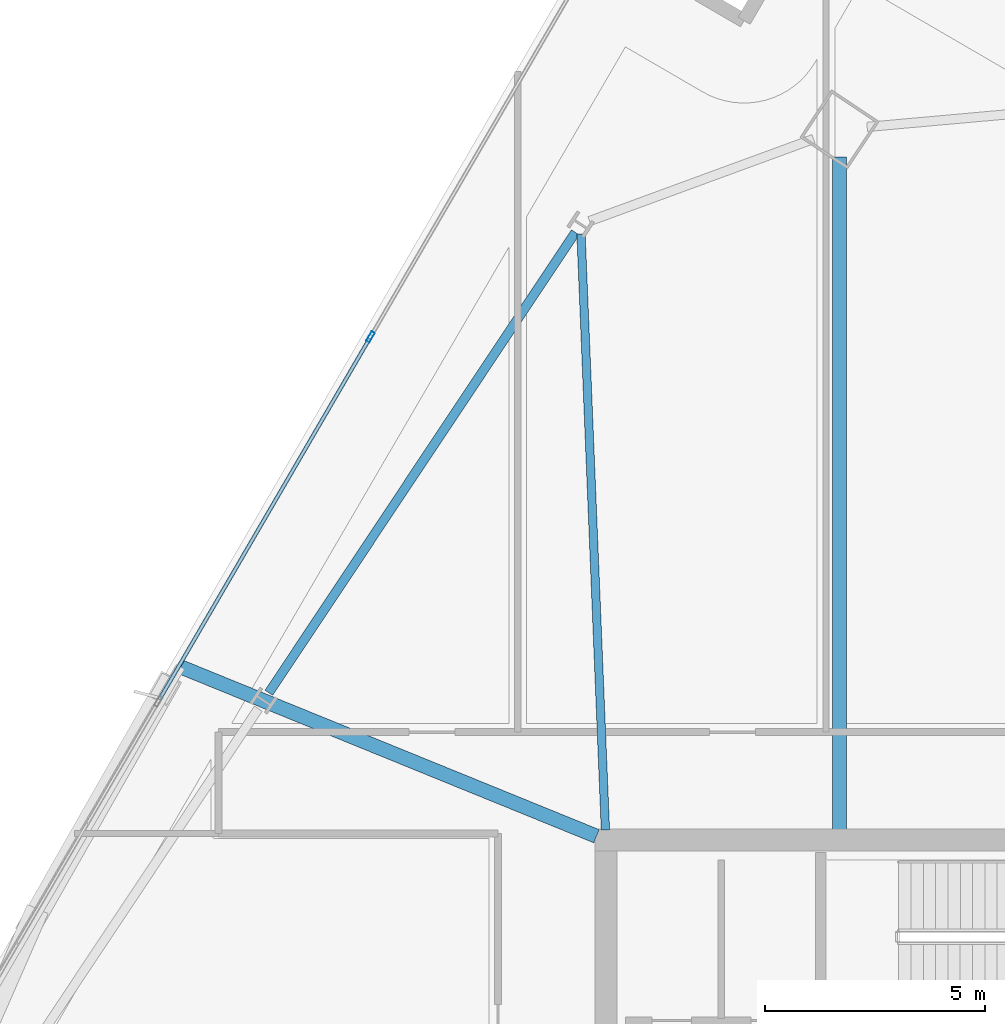
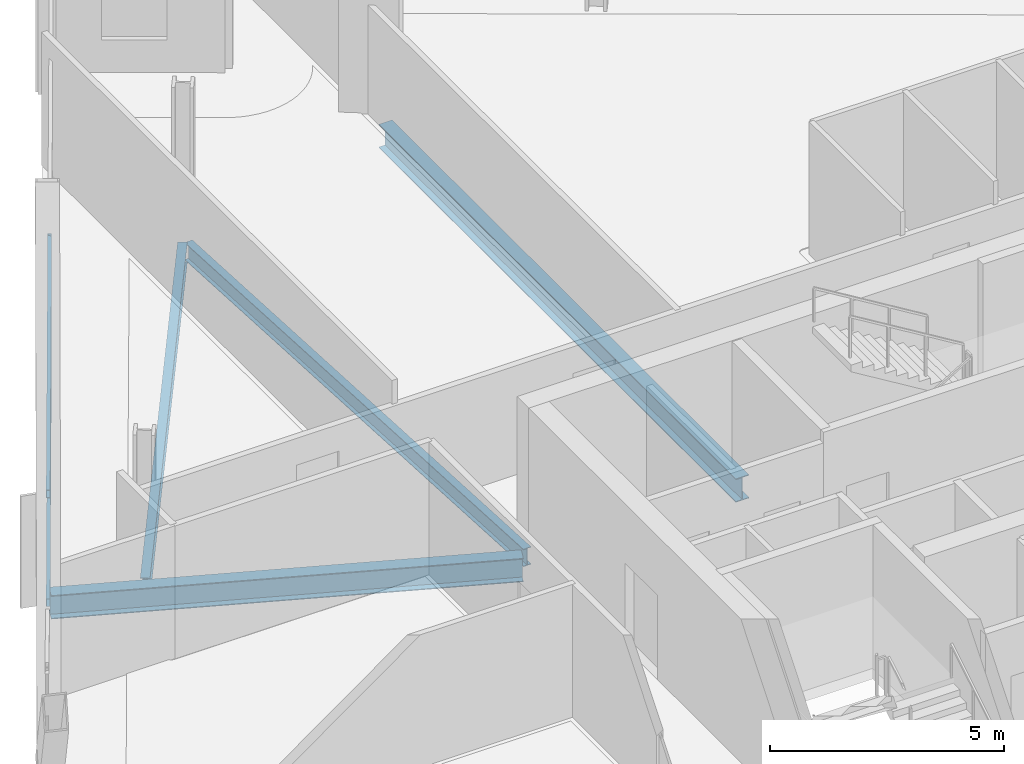
# One storey, part 14 of 29: 4 beams, 3 members, 1 element without a shape of its own.
"""IFC4 building model written with IfcOpenShell, lengths in metres."""

from ifc_helpers import new_model, si_unit, direction, frame, origin, origin_2d, place, context, subcontext, project, spatial, hollow_rectangle, i_section, extrude, material, material_profile, profile_set, type_object, element, aggregate, save


model = new_model("IFC4")

# Units and contexts
model_context = context("Model", 3, precision=1e-05, world=origin(), true_north=direction((0.0, 1.0)))
body_context = subcontext(model_context, "Body", "Model", "MODEL_VIEW")
ifc_project = project(units=[si_unit("LENGTHUNIT", "METRE"), si_unit("AREAUNIT", "SQUARE_METRE"), si_unit("VOLUMEUNIT", "CUBIC_METRE"), si_unit("PLANEANGLEUNIT", "RADIAN"), si_unit("MASSUNIT", "GRAM", prefix="KILO")], contexts=[model_context])

# Site, building, storey
site_placement = place(None, origin())
site = spatial("IfcSite", under=ifc_project, at=site_placement, CompositionType="ELEMENT")
building_placement = place(site_placement, origin())
building = spatial("IfcBuilding", under=site, at=building_placement, Name="Haldenkirk Collegiate Tower", CompositionType="ELEMENT")
storey_placement = place(building_placement, frame((0.0, 0.0, 228.449951171875)))
storey = spatial("IfcBuildingStorey", under=building, at=storey_placement, Name="L57", CompositionType="ELEMENT", Elevation=228.449951171875)

# Beams
ifc_material_1 = material(Name="Steel ASTM A992 Grade 50", Category="steel")
ifc_material_profile_1 = material_profile(ifc_material_1, i_section(OverallWidth=0.324951171875, OverallDepth=0.615966796875, WebThickness=0.013916015625, FlangeThickness=0.021484375, at=origin_2d()), Name="W24X117")
ifc_profile_set_1 = profile_set([ifc_material_profile_1], Name="Steel ASTM A992 Grade 50")
beam_type_1 = type_object("IfcBeamType", Name="BM-GIRDER-W24X117", PredefinedType="BEAM", material=ifc_profile_set_1)
beam_1_placement = place(storey_placement, frame((32.30810546875, 49.5107421875, -0.587890625), z_axis=(0.0, -1.0, 0.0), x_axis=(1.0, 0.0, 0.0)))
element("IfcBeam", 1, at=beam_1_placement, inside=storey, type_object=beam_type_1, Name="L57 primary floor girder 03", PredefinedType="BEAM", context=body_context, shape_type="SweptSolid", body=[
    extrude(i_section(OverallWidth=0.324951171875, OverallDepth=0.615966796875, WebThickness=0.013916015625, FlangeThickness=0.021484375, at=origin_2d()), origin(), (0.0, 0.0, 1.0), 15.28076171875),
])
beam_2_placement = place(storey_placement, frame((17.340087890625, 37.93359375, -0.587890625), z_axis=(0.926156153823, -0.377140264008, 0.0), x_axis=(0.377140264008, 0.926156153823, 0.0)))
element("IfcBeam", 2, at=beam_2_placement, inside=storey, type_object=beam_type_1, Name="L57 primary floor girder 12", PredefinedType="BEAM", context=body_context, shape_type="SweptSolid", body=[
    extrude(i_section(OverallWidth=0.324951171875, OverallDepth=0.615966796875, WebThickness=0.013916015625, FlangeThickness=0.021484375, at=origin_2d()), origin(), (0.0, 0.0, 1.0), 10.2001953125),
])
ifc_material_profile_2 = material_profile(ifc_material_1, i_section(OverallWidth=0.18994140625, OverallDepth=0.45703125, WebThickness=0.009033203125, FlangeThickness=0.014404296875, at=origin_2d()), Name="W18X50")
ifc_profile_set_2 = profile_set([ifc_material_profile_2], Name="Steel ASTM A992 Grade 50")
beam_type_2 = type_object("IfcBeamType", Name="BM-JOIST-W18X50", PredefinedType="JOIST", material=ifc_profile_set_2)
beam_3_placement = place(storey_placement, frame((26.4365234375, 47.76708984375, -0.508544921875), z_axis=(0.040886268065, -0.999163806932, 0.0), x_axis=(0.999163806932, 0.040886268065, 0.0)))
element("IfcBeam", 3, at=beam_3_placement, inside=storey, type_object=beam_type_2, Name="L57 composite floor joist 11", PredefinedType="JOIST", context=body_context, shape_type="SweptSolid", body=[
    extrude(i_section(OverallWidth=0.18994140625, OverallDepth=0.45703125, WebThickness=0.009033203125, FlangeThickness=0.014404296875, at=origin_2d()), origin(), (0.0, 0.0, 1.0), 13.548583984375),
])
ifc_material_profile_3 = material_profile(ifc_material_1, i_section(OverallWidth=0.2099609375, OverallDepth=0.537109375, WebThickness=0.010986328125, FlangeThickness=0.017333984375, at=origin_2d()), Name="W21X68")
ifc_profile_set_3 = profile_set([ifc_material_profile_3], Name="Steel ASTM A992 Grade 50")
beam_type_3 = type_object("IfcBeamType", Name="BM-SPANDREL-W21X68", PredefinedType="SPANDREL", material=ifc_profile_set_3)
beam_4_placement = place(storey_placement, frame((26.3076171875, 47.80322265625, -0.54833984375), z_axis=(-0.554125989098, -0.832432813028, 0.0), x_axis=(0.832432813028, -0.554125989098, 0.0)))
element("IfcBeam", 4, at=beam_4_placement, inside=storey, type_object=beam_type_3, Name="L57 perimeter spandrel beam 10", PredefinedType="SPANDREL", context=body_context, shape_type="SweptSolid", body=[
    extrude(i_section(OverallWidth=0.2099609375, OverallDepth=0.537109375, WebThickness=0.010986328125, FlangeThickness=0.017333984375, at=origin_2d()), origin(), (0.0, 0.0, 1.0), 12.56201171875),
])

# Curtain wall, members
ifc_material_2 = material(Name="Anodised architectural bronze aluminium", Category="aluminium")
curtain_wall_type = type_object("IfcCurtainWallType", Name="CW-SYS1B-CONVEX-HI", PredefinedType="USERDEFINED", material=ifc_material_2)
curtain_wall_placement = place(storey_placement, origin())
curtain_wall = element("IfcCurtainWall", 5, at=curtain_wall_placement, inside=storey, type_object=curtain_wall_type, Name="L57 Upper tower high-wind convex bronze unitised curtain wall", ObjectType="UNITISED CURTAIN WALL", PredefinedType="USERDEFINED")
ifc_material_profile_4 = material_profile(ifc_material_2, hollow_rectangle(XDim=0.0849609375, YDim=0.25, WallThickness=0.0048828125, at=origin_2d()), Name="CW-MUL-1B")
ifc_profile_set_4 = profile_set([ifc_material_profile_4], Name="Anodised architectural bronze aluminium")
member_type_1 = type_object("IfcMemberType", Name="CW-MUL-1B", PredefinedType="MULLION", material=ifc_profile_set_4)
member_1_placement = place(storey_placement, frame((21.655517578125, 45.427490234375, 0.0), z_axis=(0.0, 0.0, 1.0), x_axis=(-0.864274888861, 0.503019797309, 0.0)))
member_1 = element("IfcMember", 6, at=member_1_placement, type_object=member_type_1, Name="CW-1B mullion 4", PredefinedType="MULLION", context=body_context, shape_type="SweptSolid", body=[
    extrude(hollow_rectangle(XDim=0.0849609375, YDim=0.25, WallThickness=0.0048828125, at=origin_2d()), origin(), (0.0, 0.0, 1.0), 2.927978515625),
])
ifc_material_profile_5 = material_profile(ifc_material_2, hollow_rectangle(XDim=0.0849609375, YDim=0.199951171875, WallThickness=0.0048828125, at=origin_2d()), Name="CW-TRN-1B")
ifc_profile_set_5 = profile_set([ifc_material_profile_5], Name="Anodised architectural bronze aluminium")
member_type_2 = type_object("IfcMemberType", Name="CW-TRN-1B", PredefinedType="USERDEFINED", material=ifc_profile_set_5)
member_2_placement = place(storey_placement, frame((16.8603515625, 37.188720703125, 0.04248046875), z_axis=(0.503024617996, 0.864272083137, 0.0), x_axis=(-0.864272083137, 0.503024617996, 0.0)))
member_2 = element("IfcMember", 7, at=member_2_placement, type_object=member_type_2, Name="CW-1B transom 3.1", ObjectType="TRANSOM", PredefinedType="USERDEFINED", context=body_context, shape_type="SweptSolid", body=[
    extrude(hollow_rectangle(XDim=0.0849609375, YDim=0.199951171875, WallThickness=0.0048828125, at=origin_2d()), origin(), (0.0, 0.0, 1.0), 9.489990234375),
])
member_3_placement = place(storey_placement, frame((16.8603515625, 37.188720703125, 2.885498046875), z_axis=(0.503024617996, 0.864272083137, 0.0), x_axis=(-0.864272083137, 0.503024617996, 0.0)))
member_3 = element("IfcMember", 8, at=member_3_placement, type_object=member_type_2, Name="CW-1B transom 3.2", ObjectType="TRANSOM", PredefinedType="USERDEFINED", context=body_context, shape_type="SweptSolid", body=[
    extrude(hollow_rectangle(XDim=0.0849609375, YDim=0.199951171875, WallThickness=0.0048828125, at=origin_2d()), origin(), (0.0, 0.0, 1.0), 9.489990234375),
])
aggregate(curtain_wall, [member_1, member_2, member_3])

save(model, "model.ifc")
